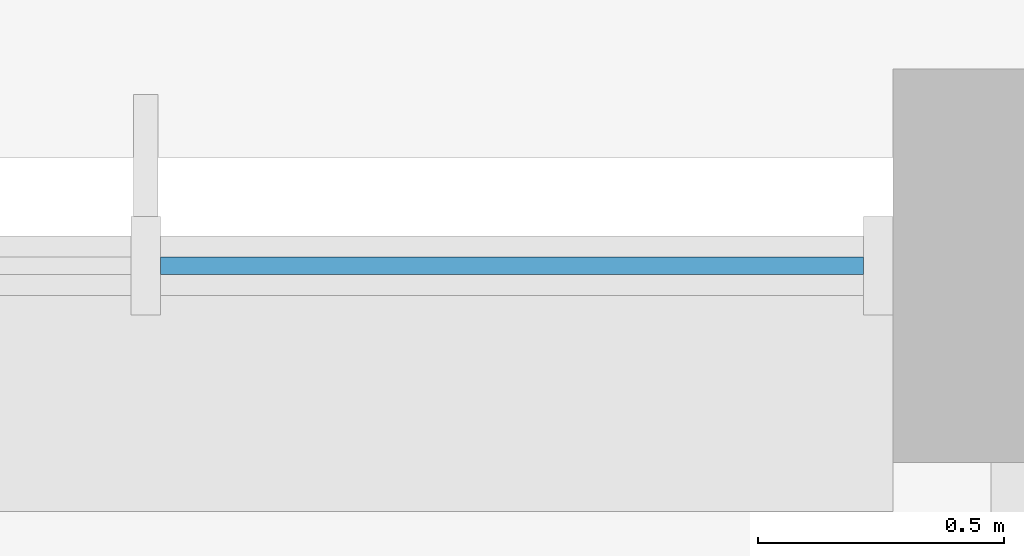
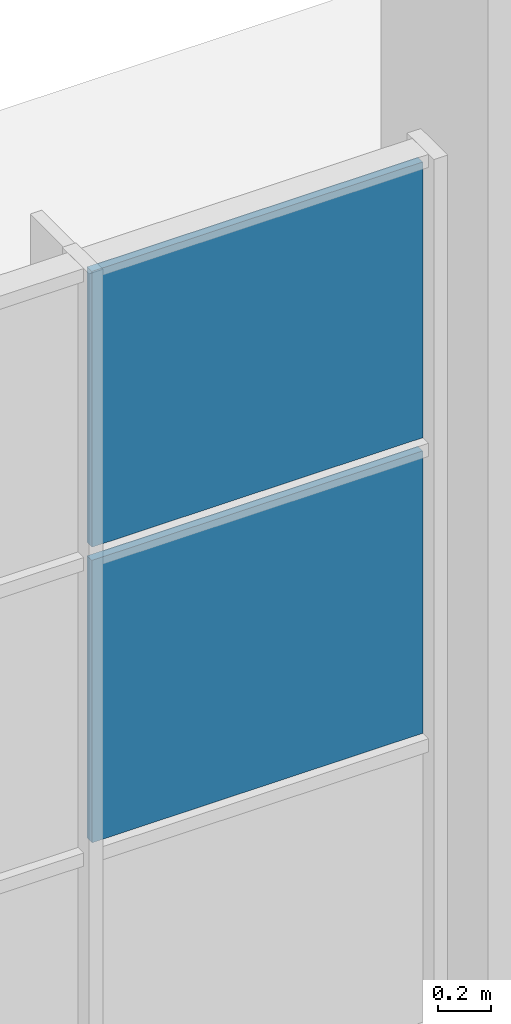
# One storey, part 24 of 101: 2 plates, 1 element without a shape of its own.
"""IFC4 building model written with IfcOpenShell, lengths in metres."""

from ifc_helpers import new_model, si_unit, direction, frame, origin, origin_2d, place, context, subcontext, project, spatial, rectangle, extrude, material, layer, layer_set, type_object, element, aggregate, save


model = new_model("IFC4")

# Units and contexts
model_context = context("Model", 3, precision=1e-05, world=origin(), true_north=direction((0.0, 1.0)))
body_context = subcontext(model_context, "Body", "Model", "MODEL_VIEW")
ifc_project = project(units=[si_unit("LENGTHUNIT", "METRE"), si_unit("AREAUNIT", "SQUARE_METRE"), si_unit("VOLUMEUNIT", "CUBIC_METRE"), si_unit("PLANEANGLEUNIT", "RADIAN"), si_unit("MASSUNIT", "GRAM", prefix="KILO")], contexts=[model_context])

# Site, building, storey
site_placement = place(None, origin())
site = spatial("IfcSite", under=ifc_project, at=site_placement, CompositionType="ELEMENT")
building_placement = place(site_placement, origin())
building = spatial("IfcBuilding", under=site, at=building_placement, Name="Almond Square Museum", CompositionType="ELEMENT")
storey_placement = place(building_placement, frame((0.0, 0.0, 5.5)))
storey = spatial("IfcBuildingStorey", under=building, at=storey_placement, Name="L01", CompositionType="ELEMENT", Elevation=5.5)

# Curtain wall, plates
ifc_material_1 = material(Name="Aluminium and laminated glass", Category="aluminium")
curtain_wall_type = type_object("IfcCurtainWallType", Name="Unitised curtain wall 1500 module", PredefinedType="NOTDEFINED", material=ifc_material_1)
curtain_wall_placement = place(storey_placement, origin())
curtain_wall = element("IfcCurtainWall", 1, at=curtain_wall_placement, inside=storey, type_object=curtain_wall_type, Name="Curtain wall CW-09", PredefinedType="NOTDEFINED")
ifc_material_2 = material(Name="Laminated hurricane-rated glass", Category="glass")
ifc_layer = layer(ifc_material_2, 0.035888671875)
ifc_layer_set = layer_set([ifc_layer], Name="Laminated hurricane-rated glass")
plate_type = type_object("IfcPlateType", Name="Laminated glass panel 36", PredefinedType="CURTAIN_PANEL", material=ifc_layer_set)
plate_1_placement = place(storey_placement, frame((97.22509765625, 109.199951171875, 1.3798828125), z_axis=(0.0, 0.0, 1.0), x_axis=(1.0, 0.0, 0.0)))
plate_1 = element("IfcPlate", 2, at=plate_1_placement, type_object=plate_type, Name="CW-09 panel 5.2", PredefinedType="CURTAIN_PANEL", context=body_context, shape_type="SweptSolid", body=[
    extrude(rectangle(XDim=1.429931640625, YDim=0.035888671875, at=origin_2d()), origin(), (0.0, 0.0, 1.0), 1.2900390625),
])
plate_2_placement = place(storey_placement, frame((97.22509765625, 109.199951171875, 2.72998046875), z_axis=(0.0, 0.0, 1.0), x_axis=(1.0, 0.0, 0.0)))
plate_2 = element("IfcPlate", 3, at=plate_2_placement, type_object=plate_type, Name="CW-09 panel 5.3", PredefinedType="CURTAIN_PANEL", context=body_context, shape_type="SweptSolid", body=[
    extrude(rectangle(XDim=1.429931640625, YDim=0.035888671875, at=origin_2d()), origin(), (0.0, 0.0, 1.0), 1.260009765625),
])
aggregate(curtain_wall, [plate_1, plate_2])

save(model, "model.ifc")
